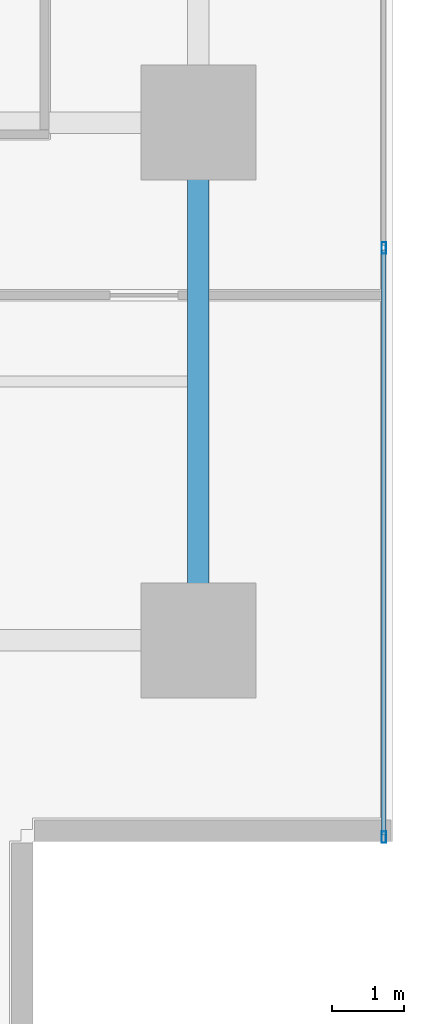
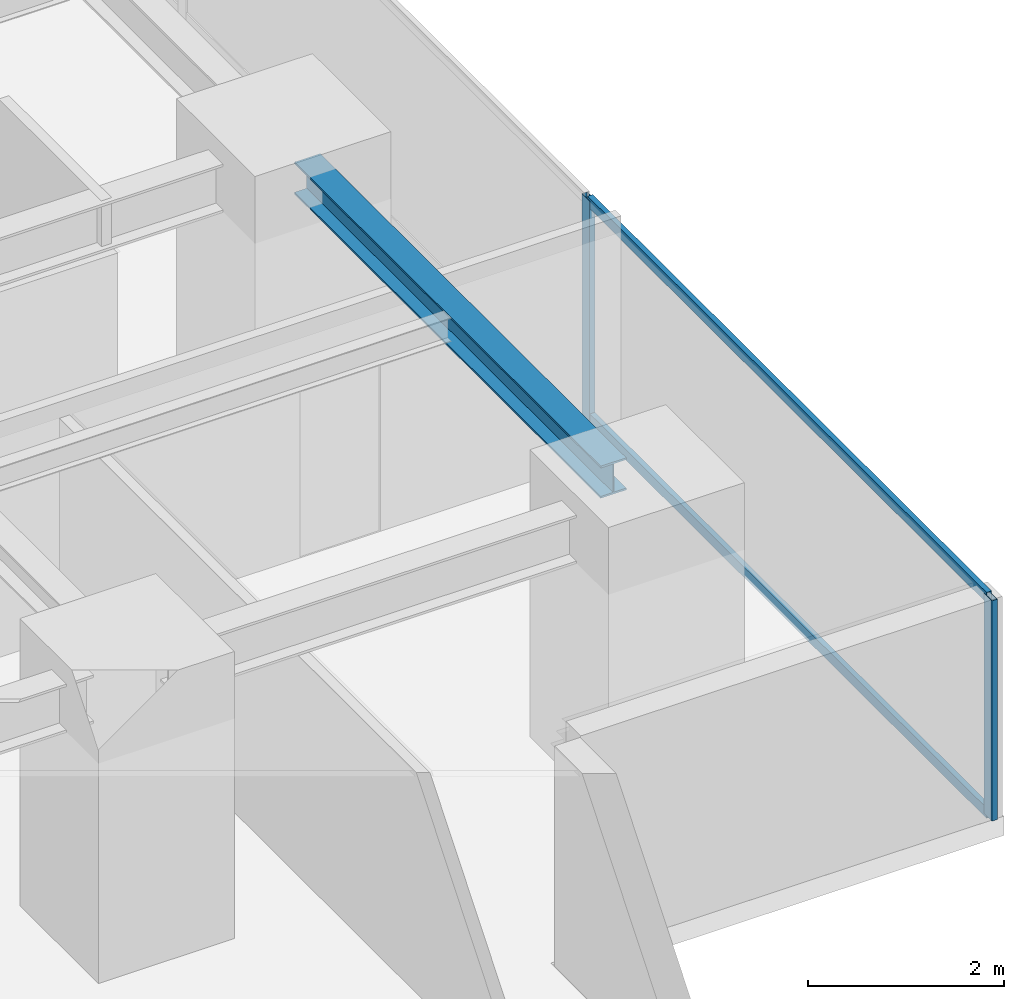
# One storey, part 14 of 37: 4 members, 1 beam, 1 element without a shape of its own.
"""IFC4 building model written with IfcOpenShell, lengths in metres."""

from ifc_helpers import new_model, si_unit, direction, frame, origin, origin_2d, place, context, subcontext, project, spatial, hollow_rectangle, i_section, extrude, source, transform, mapped, material, layer, layer_set, material_profile, profile_set, type_object, element, aggregate, save


model = new_model("IFC4")

# Units and contexts
model_context = context("Model", 3, precision=1e-05, world=origin(), true_north=direction((0.0, 1.0)))
body_context = subcontext(model_context, "Body", "Model", "MODEL_VIEW")
ifc_project = project(units=[si_unit("LENGTHUNIT", "METRE"), si_unit("AREAUNIT", "SQUARE_METRE"), si_unit("VOLUMEUNIT", "CUBIC_METRE"), si_unit("PLANEANGLEUNIT", "RADIAN"), si_unit("MASSUNIT", "GRAM", prefix="KILO")], contexts=[model_context])

# Site, building, storey
site_placement = place(None, origin())
site = spatial("IfcSite", under=ifc_project, at=site_placement, CompositionType="ELEMENT")
building_placement = place(site_placement, origin())
building = spatial("IfcBuilding", under=site, at=building_placement, Name="Sumidabori Civic Tower", CompositionType="ELEMENT")
storey_placement = place(building_placement, frame((0.0, 0.0, 81.199951171875)))
storey = spatial("IfcBuildingStorey", under=building, at=storey_placement, Name="L20", CompositionType="ELEMENT", Elevation=81.199951171875)

# Beam
ifc_material_1 = material(Name="Steel SN490", Category="steel")
ifc_material_profile_1 = material_profile(ifc_material_1, i_section(OverallWidth=0.300048828125, OverallDepth=0.39990234375, WebThickness=0.013427734375, FlangeThickness=0.02392578125, at=origin_2d()), Name="HE 400 B")
ifc_profile_set_1 = profile_set([ifc_material_profile_1], Name="Steel SN490")
beam_type = type_object("IfcBeamType", Name="BM-GIRD-400", PredefinedType="BEAM", material=ifc_profile_set_1)
shared_shape_1 = source(origin(), body_context, "Body", "SweptSolid", [
    extrude(i_section(OverallWidth=0.300048828125, OverallDepth=0.39990234375, WebThickness=0.013427734375, FlangeThickness=0.02392578125, at=origin_2d()), origin(), (0.0, 0.0, 1.0), 6.239990234375),
])
beam_placement = place(storey_placement, frame((22.800048828125, -17.52001953125, 3.16015625), z_axis=(0.0, 1.0, 0.0), x_axis=(-1.0, 0.0, 0.0)))
element("IfcBeam", 1, at=beam_placement, inside=storey, type_object=beam_type, Name="Primary Girder L20 GY-39", PredefinedType="BEAM", context=body_context, shape_type="MappedRepresentation", body=[
    mapped(shared_shape_1, transform((0.0, 0.0, 0.0), x_axis=(1.0, 0.0, 0.0), y_axis=(0.0, 1.0, 0.0), z_axis=(0.0, 0.0, 1.0), scale=1.0)),
])

# Curtain wall, members
ifc_material_2 = material(Name="Anodised Bronze Aluminium AW-6063-T6", Category="aluminium")
ifc_layer = layer(ifc_material_2, 0.179931640625, Name="Anodised Bronze Aluminium AW-6063-T6")
ifc_layer_set = layer_set([ifc_layer], Name="Anodised Bronze Aluminium AW-6063-T6")
curtain_wall_type = type_object("IfcCurtainWallType", Name="CW-SYS-3", PredefinedType="NOTDEFINED", material=ifc_layer_set)
curtain_wall_placement = place(storey_placement, origin())
curtain_wall = element("IfcCurtainWall", 2, at=curtain_wall_placement, inside=storey, type_object=curtain_wall_type, Name="Curtain Wall CW:L20:R04", PredefinedType="NOTDEFINED")
ifc_material_profile_2 = material_profile(ifc_material_2, hollow_rectangle(XDim=0.06494140625, YDim=0.159912109375, WallThickness=0.0048828125, at=origin_2d()), Name="ALU MULLION 160x65")
ifc_profile_set_2 = profile_set([ifc_material_profile_2], Name="Anodised Bronze Aluminium AW-6063-T6")
member_type_1 = type_object("IfcMemberType", Name="CW-MUL-160", PredefinedType="MULLION", material=ifc_profile_set_2)
shared_shape_2 = source(origin(), body_context, "Body", "SweptSolid", [
    extrude(hollow_rectangle(XDim=0.06494140625, YDim=0.159912109375, WallThickness=0.0048828125, at=origin_2d()), origin(), (0.0, 0.0, 1.0), 2.739990234375),
])
member_1_placement = place(storey_placement, frame((25.3798828125, -20.737548828125, 0.0), z_axis=(0.0, 0.0, 1.0), x_axis=(-1.0, 0.0, 0.0)))
member_1 = element("IfcMember", 3, at=member_1_placement, type_object=member_type_1, Name="CW-3 mullion 1", PredefinedType="MULLION", context=body_context, shape_type="MappedRepresentation", body=[
    mapped(shared_shape_2, transform((0.0, 0.0, 0.0), x_axis=(1.0, 0.0, 0.0), y_axis=(0.0, 1.0, 0.0), z_axis=(0.0, 0.0, 1.0), scale=1.0)),
])
member_2_placement = place(storey_placement, frame((25.3798828125, -12.5419921875, 0.0), z_axis=(0.0, 0.0, 1.0), x_axis=(-1.0, 0.0, 0.0)))
member_2 = element("IfcMember", 4, at=member_2_placement, type_object=member_type_1, Name="CW-3 mullion 2", PredefinedType="MULLION", context=body_context, shape_type="MappedRepresentation", body=[
    mapped(shared_shape_2, transform((0.0, 0.0, 0.0), x_axis=(1.0, 0.0, 0.0), y_axis=(0.0, 1.0, 0.0), z_axis=(0.0, 0.0, 1.0), scale=1.0)),
])
ifc_material_profile_3 = material_profile(ifc_material_2, hollow_rectangle(XDim=0.06005859375, YDim=0.1298828125, WallThickness=0.0048828125, at=origin_2d()), Name="ALU TRANSOM 130x60")
ifc_profile_set_3 = profile_set([ifc_material_profile_3], Name="Anodised Bronze Aluminium AW-6063-T6")
member_type_2 = type_object("IfcMemberType", Name="CW-TRN-130", PredefinedType="USERDEFINED", material=ifc_profile_set_3)
shared_shape_3 = source(origin(), body_context, "Body", "SweptSolid", [
    extrude(hollow_rectangle(XDim=0.06005859375, YDim=0.1298828125, WallThickness=0.0048828125, at=origin_2d()), origin(), (0.0, 0.0, 1.0), 8.130615234375),
])
member_3_placement = place(storey_placement, frame((25.3798828125, -20.705078125, 0.030029296875), z_axis=(0.0, 1.0, 0.0), x_axis=(-1.0, 0.0, 0.0)))
member_3 = element("IfcMember", 5, at=member_3_placement, type_object=member_type_2, Name="CW-3 transom 1.1", ObjectType="TRANSOM", PredefinedType="USERDEFINED", context=body_context, shape_type="MappedRepresentation", body=[
    mapped(shared_shape_3, transform((0.0, 0.0, 0.0), x_axis=(1.0, 0.0, 0.0), y_axis=(0.0, 1.0, 0.0), z_axis=(0.0, 0.0, 1.0), scale=1.0)),
])
member_4_placement = place(storey_placement, frame((25.3798828125, -20.705078125, 2.7099609375), z_axis=(0.0, 1.0, 0.0), x_axis=(-1.0, 0.0, 0.0)))
member_4 = element("IfcMember", 6, at=member_4_placement, type_object=member_type_2, Name="CW-3 transom 1.2", ObjectType="TRANSOM", PredefinedType="USERDEFINED", context=body_context, shape_type="MappedRepresentation", body=[
    mapped(shared_shape_3, transform((0.0, 0.0, 0.0), x_axis=(1.0, 0.0, 0.0), y_axis=(0.0, 1.0, 0.0), z_axis=(0.0, 0.0, 1.0), scale=1.0)),
])
aggregate(curtain_wall, [member_1, member_2, member_3, member_4])

save(model, "model.ifc")
